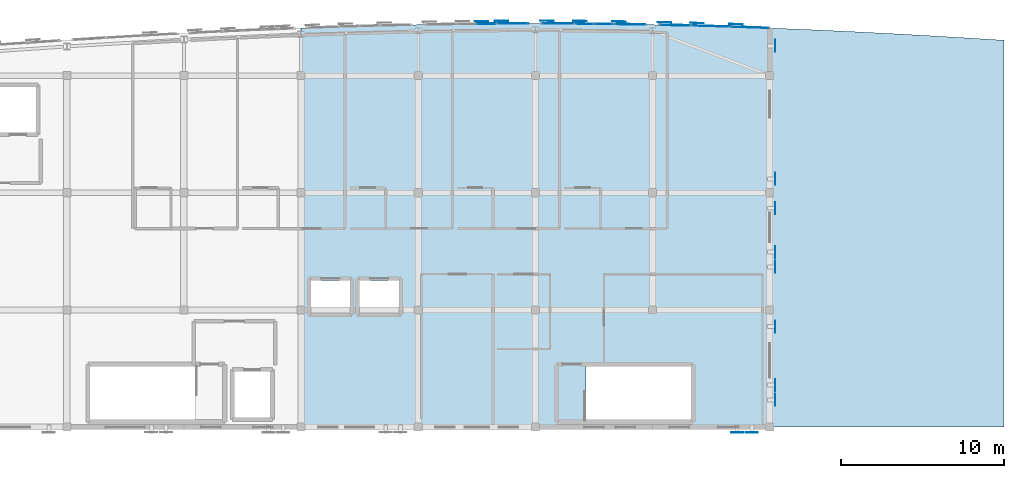
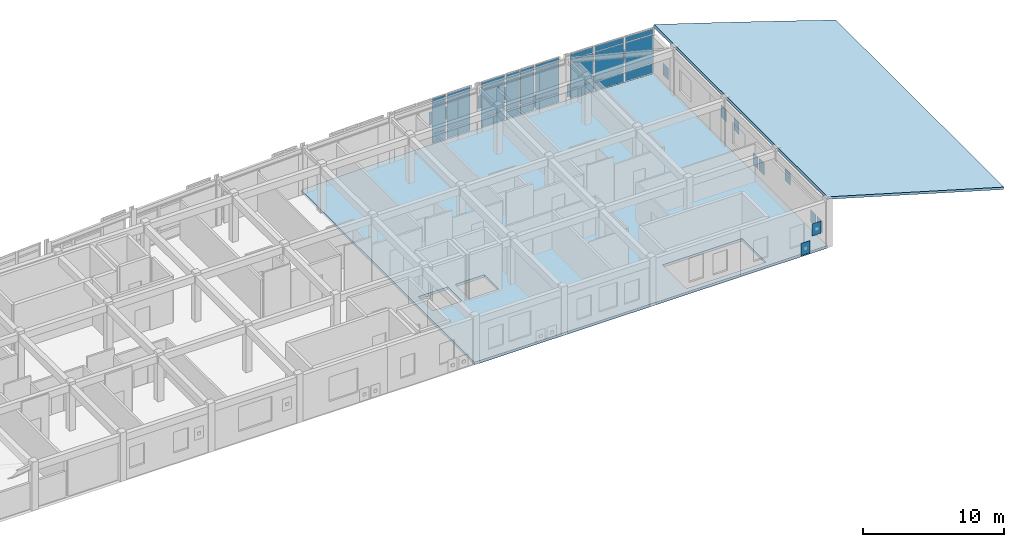
# One storey, part 18 of 24: 45 plates, 2 slabs, 8 elements without a shape of their own.
"""IFC4 building model written with IfcOpenShell, lengths in metres."""

from ifc_helpers import new_model, si_unit, direction, frame, origin, origin_2d, place, context, subcontext, project, spatial, polyline, rectangle, outline, extrude, material, layer, layer_set, type_object, element, aggregate, save


model = new_model("IFC4")

# Units and contexts
model_context = context("Model", 3, precision=1e-05, world=origin(), true_north=direction((0.0, 1.0)))
body_context = subcontext(model_context, "Body", "Model", "MODEL_VIEW")
ifc_project = project(units=[si_unit("LENGTHUNIT", "METRE"), si_unit("AREAUNIT", "SQUARE_METRE"), si_unit("VOLUMEUNIT", "CUBIC_METRE"), si_unit("PLANEANGLEUNIT", "RADIAN"), si_unit("MASSUNIT", "GRAM", prefix="KILO")], contexts=[model_context])

# Site, building, storey
site_placement = place(None, origin())
site = spatial("IfcSite", under=ifc_project, at=site_placement, CompositionType="ELEMENT")
building_placement = place(site_placement, origin())
building = spatial("IfcBuilding", under=site, at=building_placement, Name="Carrowvane Square Congress Hotel", CompositionType="ELEMENT")
storey_placement = place(building_placement, frame((0.0, 0.0, 44.39990234375)))
storey = spatial("IfcBuildingStorey", under=building, at=storey_placement, Name="L11", CompositionType="ELEMENT", Elevation=44.39990234375)

# Curtain wall, plates
ifc_material_1 = material(Name="Anodised aluminium", Category="aluminium")
ifc_layer_1 = layer(ifc_material_1, 0.221923828125)
ifc_layer_set_1 = layer_set([ifc_layer_1], Name="Anodised aluminium")
curtain_wall_type_1 = type_object("IfcCurtainWallType", Name="CW-SYS-6", PredefinedType="NOTDEFINED", material=ifc_layer_set_1)
curtain_wall_1_placement = place(storey_placement, origin())
curtain_wall_1 = element("IfcCurtainWall", 1, at=curtain_wall_1_placement, inside=storey, type_object=curtain_wall_type_1, Name="L11 unitised curtain wall 605", PredefinedType="NOTDEFINED")
ifc_material_2 = material(Name="Double-glazed low-E glass", Category="glass")
ifc_layer_2 = layer(ifc_material_2, 0.028076171875)
ifc_layer_set_2 = layer_set([ifc_layer_2], Name="Double-glazed low-E glass")
plate_type_1 = type_object("IfcPlateType", Name="CW-PAN-1", PredefinedType="CURTAIN_PANEL", material=ifc_layer_set_2)
plate_1_placement = place(storey_placement, frame((96.607666015625, 116.595458984375, 0.070068359375), z_axis=(0.0, 0.0, 1.0), x_axis=(0.999994652529, 0.003270307911, 0.0)))
plate_1 = element("IfcPlate", 2, at=plate_1_placement, type_object=plate_type_1, Name="CW-6 panel 1.1", PredefinedType="CURTAIN_PANEL", context=body_context, shape_type="SweptSolid", body=[
    extrude(rectangle(XDim=1.875, YDim=0.028076171875, at=origin_2d()), origin(), (0.0, 0.0, 1.0), 0.794921875),
])
plate_2_placement = place(storey_placement, frame((96.607666015625, 116.595458984375, 0.93505859375), z_axis=(0.0, 0.0, 1.0), x_axis=(0.999994652529, 0.003270307911, 0.0)))
plate_2 = element("IfcPlate", 3, at=plate_2_placement, type_object=plate_type_1, Name="CW-6 panel 1.2", PredefinedType="CURTAIN_PANEL", context=body_context, shape_type="SweptSolid", body=[
    extrude(rectangle(XDim=1.875, YDim=0.028076171875, at=origin_2d()), origin(), (0.0, 0.0, 1.0), 2.429931640625),
])
plate_3_placement = place(storey_placement, frame((96.607666015625, 116.595458984375, 3.43505859375), z_axis=(0.0, 0.0, 1.0), x_axis=(0.999994652529, 0.003270307911, 0.0)))
plate_3 = element("IfcPlate", 4, at=plate_3_placement, type_object=plate_type_1, Name="CW-6 panel 1.3", PredefinedType="CURTAIN_PANEL", context=body_context, shape_type="SweptSolid", body=[
    extrude(rectangle(XDim=1.875, YDim=0.028076171875, at=origin_2d()), origin(), (0.0, 0.0, 1.0), 0.445068359375),
])
aggregate(curtain_wall_1, [plate_1, plate_2, plate_3])

ifc_material_3 = material(Name="Anodised aluminium", Category="aluminium")
ifc_layer_3 = layer(ifc_material_3, 0.18603515625)
ifc_layer_set_3 = layer_set([ifc_layer_3], Name="Anodised aluminium")
curtain_wall_type_2 = type_object("IfcCurtainWallType", Name="CW-SYS-3", PredefinedType="NOTDEFINED", material=ifc_layer_set_3)
curtain_wall_2_placement = place(storey_placement, origin())
curtain_wall_2 = element("IfcCurtainWall", 5, at=curtain_wall_2_placement, inside=storey, type_object=curtain_wall_type_2, Name="L11 unitised curtain wall 610", PredefinedType="NOTDEFINED")
plate_4_placement = place(storey_placement, frame((108.800048828125, 116.44140625, 0.06005859375), z_axis=(0.0, 0.0, 1.0), x_axis=(0.999589848065, -0.028638010501, 0.0)))
plate_4 = element("IfcPlate", 6, at=plate_4_placement, type_object=plate_type_1, Name="CW-3 panel 1.1", PredefinedType="CURTAIN_PANEL", context=body_context, shape_type="SweptSolid", body=[
    extrude(rectangle(XDim=2.281005859375, YDim=0.028076171875, at=origin_2d()), origin(), (0.0, 0.0, 1.0), 0.81005859375),
])
plate_5_placement = place(storey_placement, frame((108.800048828125, 116.44140625, 0.93017578125), z_axis=(0.0, 0.0, 1.0), x_axis=(0.999589848065, -0.028638010501, 0.0)))
plate_5 = element("IfcPlate", 7, at=plate_5_placement, type_object=plate_type_1, Name="CW-3 panel 1.2", PredefinedType="CURTAIN_PANEL", context=body_context, shape_type="SweptSolid", body=[
    extrude(rectangle(XDim=2.281005859375, YDim=0.028076171875, at=origin_2d()), origin(), (0.0, 0.0, 1.0), 2.43994140625),
])
plate_6_placement = place(storey_placement, frame((108.800048828125, 116.44140625, 3.43017578125), z_axis=(0.0, 0.0, 1.0), x_axis=(0.999589848065, -0.028638010501, 0.0)))
plate_6 = element("IfcPlate", 8, at=plate_6_placement, type_object=plate_type_1, Name="CW-3 panel 1.3", PredefinedType="CURTAIN_PANEL", context=body_context, shape_type="SweptSolid", body=[
    extrude(rectangle(XDim=2.281005859375, YDim=0.028076171875, at=origin_2d()), origin(), (0.0, 0.0, 1.0), 0.4599609375),
])
aggregate(curtain_wall_2, [plate_4, plate_5, plate_6])

ifc_material_4 = material(Name="Anodised aluminium", Category="aluminium")
ifc_layer_4 = layer(ifc_material_4, 0.23388671875)
ifc_layer_set_4 = layer_set([ifc_layer_4], Name="Anodised aluminium")
curtain_wall_type_3 = type_object("IfcCurtainWallType", Name="CW-SYS-7", PredefinedType="NOTDEFINED", material=ifc_layer_set_4)
curtain_wall_3_placement = place(storey_placement, origin())
curtain_wall_3 = element("IfcCurtainWall", 9, at=curtain_wall_3_placement, inside=storey, type_object=curtain_wall_type_3, Name="L11 unitised curtain wall 606", PredefinedType="NOTDEFINED")
ifc_material_5 = material(Name="Double-glazed low-E glass", Category="glass")
ifc_layer_5 = layer(ifc_material_5, 0.031982421875)
ifc_layer_set_5 = layer_set([ifc_layer_5], Name="Double-glazed low-E glass")
plate_type_2 = type_object("IfcPlateType", Name="CW-PAN-2", PredefinedType="CURTAIN_PANEL", material=ifc_layer_set_5)
plate_7_placement = place(storey_placement, frame((99.392333984375, 116.595458984375, 0.06005859375), z_axis=(0.0, 0.0, 1.0), x_axis=(0.999994652529, -0.003270307911, 0.0)))
plate_7 = element("IfcPlate", 10, at=plate_7_placement, type_object=plate_type_2, Name="CW-7 panel 1.1", PredefinedType="CURTAIN_PANEL", context=body_context, shape_type="SweptSolid", body=[
    extrude(rectangle(XDim=1.89501953125, YDim=0.031982421875, at=origin_2d()), origin(), (0.0, 0.0, 1.0), 0.81005859375),
])
plate_8_placement = place(storey_placement, frame((99.392333984375, 116.595458984375, 0.93017578125), z_axis=(0.0, 0.0, 1.0), x_axis=(0.999994652529, -0.003270307911, 0.0)))
plate_8 = element("IfcPlate", 11, at=plate_8_placement, type_object=plate_type_2, Name="CW-7 panel 1.2", PredefinedType="CURTAIN_PANEL", context=body_context, shape_type="SweptSolid", body=[
    extrude(rectangle(XDim=1.89501953125, YDim=0.031982421875, at=origin_2d()), origin(), (0.0, 0.0, 1.0), 2.43994140625),
])
plate_9_placement = place(storey_placement, frame((99.392333984375, 116.595458984375, 3.43017578125), z_axis=(0.0, 0.0, 1.0), x_axis=(0.999994652529, -0.003270307911, 0.0)))
plate_9 = element("IfcPlate", 12, at=plate_9_placement, type_object=plate_type_2, Name="CW-7 panel 1.3", PredefinedType="CURTAIN_PANEL", context=body_context, shape_type="SweptSolid", body=[
    extrude(rectangle(XDim=1.89501953125, YDim=0.031982421875, at=origin_2d()), origin(), (0.0, 0.0, 1.0), 0.4599609375),
])
aggregate(curtain_wall_3, [plate_7, plate_8, plate_9])

ifc_material_6 = material(Name="Anodised aluminium", Category="aluminium")
ifc_layer_6 = layer(ifc_material_6, 0.197998046875)
ifc_layer_set_6 = layer_set([ifc_layer_6], Name="Anodised aluminium")
curtain_wall_type_4 = type_object("IfcCurtainWallType", Name="CW-SYS-4", PredefinedType="NOTDEFINED", material=ifc_layer_set_6)
curtain_wall_4_placement = place(storey_placement, origin())
curtain_wall_4 = element("IfcCurtainWall", 13, at=curtain_wall_4_placement, inside=storey, type_object=curtain_wall_type_4, Name="L11 unitised curtain wall 611", PredefinedType="NOTDEFINED")
plate_10_placement = place(storey_placement, frame((111.199951171875, 116.365478515625, 0.070068359375), z_axis=(0.0, 0.0, 1.0), x_axis=(0.999403811367, -0.034525669067, 0.0)))
plate_10 = element("IfcPlate", 14, at=plate_10_placement, type_object=plate_type_2, Name="CW-4 panel 1.1", PredefinedType="CURTAIN_PANEL", context=body_context, shape_type="SweptSolid", body=[
    extrude(rectangle(XDim=2.261474609375, YDim=0.031982421875, at=origin_2d()), origin(), (0.0, 0.0, 1.0), 0.794921875),
])
plate_11_placement = place(storey_placement, frame((111.199951171875, 116.365478515625, 0.93505859375), z_axis=(0.0, 0.0, 1.0), x_axis=(0.999403811367, -0.034525669067, 0.0)))
plate_11 = element("IfcPlate", 15, at=plate_11_placement, type_object=plate_type_2, Name="CW-4 panel 1.2", PredefinedType="CURTAIN_PANEL", context=body_context, shape_type="SweptSolid", body=[
    extrude(rectangle(XDim=2.261474609375, YDim=0.031982421875, at=origin_2d()), origin(), (0.0, 0.0, 1.0), 2.429931640625),
])
plate_12_placement = place(storey_placement, frame((111.199951171875, 116.365478515625, 3.43505859375), z_axis=(0.0, 0.0, 1.0), x_axis=(0.999403811367, -0.034525669067, 0.0)))
plate_12 = element("IfcPlate", 16, at=plate_12_placement, type_object=plate_type_2, Name="CW-4 panel 1.3", PredefinedType="CURTAIN_PANEL", context=body_context, shape_type="SweptSolid", body=[
    extrude(rectangle(XDim=2.261474609375, YDim=0.031982421875, at=origin_2d()), origin(), (0.0, 0.0, 1.0), 0.445068359375),
])
aggregate(curtain_wall_4, [plate_10, plate_11, plate_12])

ifc_material_7 = material(Name="Anodised aluminium", Category="aluminium")
ifc_layer_7 = layer(ifc_material_7, 0.24609375)
ifc_layer_set_7 = layer_set([ifc_layer_7], Name="Anodised aluminium")
curtain_wall_type_5 = type_object("IfcCurtainWallType", Name="CW-SYS-8", PredefinedType="NOTDEFINED", material=ifc_layer_set_7)
curtain_wall_5_placement = place(storey_placement, origin())
curtain_wall_5 = element("IfcCurtainWall", 17, at=curtain_wall_5_placement, inside=storey, type_object=curtain_wall_type_5, Name="L11 unitised curtain wall 607", PredefinedType="NOTDEFINED")
ifc_material_8 = material(Name="Double-glazed low-E glass", Category="glass")
ifc_layer_8 = layer(ifc_material_8, 0.035888671875)
ifc_layer_set_8 = layer_set([ifc_layer_8], Name="Double-glazed low-E glass")
plate_type_3 = type_object("IfcPlateType", Name="CW-PAN-3", PredefinedType="CURTAIN_PANEL", material=ifc_layer_set_8)
plate_13_placement = place(storey_placement, frame((101.017578125, 116.586181640625, 0.070068359375), z_axis=(0.0, 0.0, 1.0), x_axis=(0.999952146231, -0.009782905924, 0.0)))
plate_13 = element("IfcPlate", 18, at=plate_13_placement, type_object=plate_type_3, Name="CW-8 panel 1.1", PredefinedType="CURTAIN_PANEL", context=body_context, shape_type="SweptSolid", body=[
    extrude(rectangle(XDim=1.094970703125, YDim=0.035888671875, at=origin_2d()), origin(), (0.0, 0.0, 1.0), 0.794921875),
])
plate_14_placement = place(storey_placement, frame((101.017578125, 116.586181640625, 0.93505859375), z_axis=(0.0, 0.0, 1.0), x_axis=(0.999952146231, -0.009782905924, 0.0)))
plate_14 = element("IfcPlate", 19, at=plate_14_placement, type_object=plate_type_3, Name="CW-8 panel 1.2", PredefinedType="CURTAIN_PANEL", context=body_context, shape_type="SweptSolid", body=[
    extrude(rectangle(XDim=1.094970703125, YDim=0.035888671875, at=origin_2d()), origin(), (0.0, 0.0, 1.0), 2.429931640625),
])
plate_15_placement = place(storey_placement, frame((101.017578125, 116.586181640625, 3.43505859375), z_axis=(0.0, 0.0, 1.0), x_axis=(0.999952146231, -0.009782905924, 0.0)))
plate_15 = element("IfcPlate", 20, at=plate_15_placement, type_object=plate_type_3, Name="CW-8 panel 1.3", PredefinedType="CURTAIN_PANEL", context=body_context, shape_type="SweptSolid", body=[
    extrude(rectangle(XDim=1.094970703125, YDim=0.035888671875, at=origin_2d()), origin(), (0.0, 0.0, 1.0), 0.445068359375),
])
plate_16_placement = place(storey_placement, frame((102.182373046875, 116.57470703125, 0.070068359375), z_axis=(0.0, 0.0, 1.0), x_axis=(0.999952146231, -0.009782905924, 0.0)))
plate_16 = element("IfcPlate", 21, at=plate_16_placement, type_object=plate_type_3, Name="CW-8 panel 2.1", PredefinedType="CURTAIN_PANEL", context=body_context, shape_type="SweptSolid", body=[
    extrude(rectangle(XDim=1.094970703125, YDim=0.035888671875, at=origin_2d()), origin(), (0.0, 0.0, 1.0), 0.794921875),
])
plate_17_placement = place(storey_placement, frame((102.182373046875, 116.57470703125, 0.93505859375), z_axis=(0.0, 0.0, 1.0), x_axis=(0.999952146231, -0.009782905924, 0.0)))
plate_17 = element("IfcPlate", 22, at=plate_17_placement, type_object=plate_type_3, Name="CW-8 panel 2.2", PredefinedType="CURTAIN_PANEL", context=body_context, shape_type="SweptSolid", body=[
    extrude(rectangle(XDim=1.094970703125, YDim=0.035888671875, at=origin_2d()), origin(), (0.0, 0.0, 1.0), 2.429931640625),
])
plate_18_placement = place(storey_placement, frame((102.182373046875, 116.57470703125, 3.43505859375), z_axis=(0.0, 0.0, 1.0), x_axis=(0.999952146231, -0.009782905924, 0.0)))
plate_18 = element("IfcPlate", 23, at=plate_18_placement, type_object=plate_type_3, Name="CW-8 panel 2.3", PredefinedType="CURTAIN_PANEL", context=body_context, shape_type="SweptSolid", body=[
    extrude(rectangle(XDim=1.094970703125, YDim=0.035888671875, at=origin_2d()), origin(), (0.0, 0.0, 1.0), 0.445068359375),
])
aggregate(curtain_wall_5, [plate_13, plate_14, plate_15, plate_16, plate_17, plate_18])

ifc_material_9 = material(Name="Anodised aluminium", Category="aluminium")
ifc_layer_9 = layer(ifc_material_9, 0.162109375)
ifc_layer_set_9 = layer_set([ifc_layer_9], Name="Anodised aluminium")
curtain_wall_type_6 = type_object("IfcCurtainWallType", Name="CW-SYS-1", PredefinedType="NOTDEFINED", material=ifc_layer_set_9)
curtain_wall_6_placement = place(storey_placement, origin())
curtain_wall_6 = element("IfcCurtainWall", 24, at=curtain_wall_6_placement, inside=storey, type_object=curtain_wall_type_6, Name="L11 unitised curtain wall 608", PredefinedType="NOTDEFINED")
ifc_material_10 = material(Name="Double-glazed low-E glass", Category="glass")
ifc_layer_10 = layer(ifc_material_10, 0.0419921875)
ifc_layer_set_10 = layer_set([ifc_layer_10], Name="Double-glazed low-E glass")
plate_type_4 = type_object("IfcPlateType", Name="CW-PAN-4", PredefinedType="CURTAIN_PANEL", material=ifc_layer_set_10)
plate_19_placement = place(storey_placement, frame((103.811279296875, 116.55224609375, 0.06005859375), z_axis=(0.0, 0.0, 1.0), x_axis=(0.99986851233, -0.016215981364, 0.0)))
plate_19 = element("IfcPlate", 25, at=plate_19_placement, type_object=plate_type_4, Name="CW-1 panel 1.1", PredefinedType="CURTAIN_PANEL", context=body_context, shape_type="SweptSolid", body=[
    extrude(rectangle(XDim=1.902587890625, YDim=0.0419921875, at=origin_2d()), origin(), (0.0, 0.0, 1.0), 0.81005859375),
])
plate_20_placement = place(storey_placement, frame((103.811279296875, 116.55224609375, 0.93017578125), z_axis=(0.0, 0.0, 1.0), x_axis=(0.99986851233, -0.016215981364, 0.0)))
plate_20 = element("IfcPlate", 26, at=plate_20_placement, type_object=plate_type_4, Name="CW-1 panel 1.2", PredefinedType="CURTAIN_PANEL", context=body_context, shape_type="SweptSolid", body=[
    extrude(rectangle(XDim=1.902587890625, YDim=0.0419921875, at=origin_2d()), origin(), (0.0, 0.0, 1.0), 2.43994140625),
])
plate_21_placement = place(storey_placement, frame((103.811279296875, 116.55224609375, 3.43017578125), z_axis=(0.0, 0.0, 1.0), x_axis=(0.99986851233, -0.016215981364, 0.0)))
plate_21 = element("IfcPlate", 27, at=plate_21_placement, type_object=plate_type_4, Name="CW-1 panel 1.3", PredefinedType="CURTAIN_PANEL", context=body_context, shape_type="SweptSolid", body=[
    extrude(rectangle(XDim=1.902587890625, YDim=0.0419921875, at=origin_2d()), origin(), (0.0, 0.0, 1.0), 0.4599609375),
])
aggregate(curtain_wall_6, [plate_19, plate_20, plate_21])

ifc_material_11 = material(Name="Anodised aluminium", Category="aluminium")
ifc_layer_11 = layer(ifc_material_11, 0.2099609375)
ifc_layer_set_11 = layer_set([ifc_layer_11], Name="Anodised aluminium")
curtain_wall_type_7 = type_object("IfcCurtainWallType", Name="CW-SYS-5", PredefinedType="NOTDEFINED", material=ifc_layer_set_11)
curtain_wall_7_placement = place(storey_placement, origin())
curtain_wall_7 = element("IfcCurtainWall", 28, at=curtain_wall_7_placement, inside=storey, type_object=curtain_wall_type_7, Name="L11 unitised curtain wall 604", PredefinedType="NOTDEFINED")
ifc_material_12 = material(Name="Double-glazed low-E glass", Category="glass")
ifc_layer_12 = layer(ifc_material_12, 0.048095703125)
ifc_layer_set_12 = layer_set([ifc_layer_12], Name="Double-glazed low-E glass")
plate_type_5 = type_object("IfcPlateType", Name="CW-PAN-5", PredefinedType="CURTAIN_PANEL", material=ifc_layer_set_12)
plate_22_placement = place(storey_placement, frame((94.985107421875, 116.586181640625, 0.06005859375), z_axis=(0.0, 0.0, 1.0), x_axis=(0.999952146231, 0.009782905924, 0.0)))
plate_22 = element("IfcPlate", 29, at=plate_22_placement, type_object=plate_type_5, Name="CW-5 panel 2.1", PredefinedType="CURTAIN_PANEL", context=body_context, shape_type="SweptSolid", body=[
    extrude(rectangle(XDim=1.110107421875, YDim=0.048095703125, at=origin_2d()), origin(), (0.0, 0.0, 1.0), 0.81005859375),
])
plate_23_placement = place(storey_placement, frame((94.985107421875, 116.586181640625, 0.93017578125), z_axis=(0.0, 0.0, 1.0), x_axis=(0.999952146231, 0.009782905924, 0.0)))
plate_23 = element("IfcPlate", 30, at=plate_23_placement, type_object=plate_type_5, Name="CW-5 panel 2.2", PredefinedType="CURTAIN_PANEL", context=body_context, shape_type="SweptSolid", body=[
    extrude(rectangle(XDim=1.110107421875, YDim=0.048095703125, at=origin_2d()), origin(), (0.0, 0.0, 1.0), 2.43994140625),
])
plate_24_placement = place(storey_placement, frame((94.985107421875, 116.586181640625, 3.43017578125), z_axis=(0.0, 0.0, 1.0), x_axis=(0.999952146231, 0.009782905924, 0.0)))
plate_24 = element("IfcPlate", 31, at=plate_24_placement, type_object=plate_type_5, Name="CW-5 panel 2.3", PredefinedType="CURTAIN_PANEL", context=body_context, shape_type="SweptSolid", body=[
    extrude(rectangle(XDim=1.110107421875, YDim=0.048095703125, at=origin_2d()), origin(), (0.0, 0.0, 1.0), 0.4599609375),
])
aggregate(curtain_wall_7, [plate_22, plate_23, plate_24])

ifc_material_13 = material(Name="Anodised aluminium", Category="aluminium")
ifc_layer_13 = layer(ifc_material_13, 0.174072265625)
ifc_layer_set_13 = layer_set([ifc_layer_13], Name="Anodised aluminium")
curtain_wall_type_8 = type_object("IfcCurtainWallType", Name="CW-SYS-2", PredefinedType="NOTDEFINED", material=ifc_layer_set_13)
curtain_wall_8_placement = place(storey_placement, origin())
curtain_wall_8 = element("IfcCurtainWall", 32, at=curtain_wall_8_placement, inside=storey, type_object=curtain_wall_type_8, Name="L11 unitised curtain wall 609", PredefinedType="NOTDEFINED")
plate_25_placement = place(storey_placement, frame((106.59619140625, 116.498291015625, 0.070068359375), z_axis=(0.0, 0.0, 1.0), x_axis=(0.99974644475, -0.022517686606, 0.0)))
plate_25 = element("IfcPlate", 33, at=plate_25_placement, type_object=plate_type_5, Name="CW-2 panel 1.1", PredefinedType="CURTAIN_PANEL", context=body_context, shape_type="SweptSolid", body=[
    extrude(rectangle(XDim=1.8681640625, YDim=0.048095703125, at=origin_2d()), origin(), (0.0, 0.0, 1.0), 0.794921875),
])
plate_26_placement = place(storey_placement, frame((106.59619140625, 116.498291015625, 0.93505859375), z_axis=(0.0, 0.0, 1.0), x_axis=(0.99974644475, -0.022517686606, 0.0)))
plate_26 = element("IfcPlate", 34, at=plate_26_placement, type_object=plate_type_5, Name="CW-2 panel 1.2", PredefinedType="CURTAIN_PANEL", context=body_context, shape_type="SweptSolid", body=[
    extrude(rectangle(XDim=1.8681640625, YDim=0.048095703125, at=origin_2d()), origin(), (0.0, 0.0, 1.0), 2.429931640625),
])
plate_27_placement = place(storey_placement, frame((106.59619140625, 116.498291015625, 3.43505859375), z_axis=(0.0, 0.0, 1.0), x_axis=(0.99974644475, -0.022517686606, 0.0)))
plate_27 = element("IfcPlate", 35, at=plate_27_placement, type_object=plate_type_5, Name="CW-2 panel 1.3", PredefinedType="CURTAIN_PANEL", context=body_context, shape_type="SweptSolid", body=[
    extrude(rectangle(XDim=1.8681640625, YDim=0.048095703125, at=origin_2d()), origin(), (0.0, 0.0, 1.0), 0.445068359375),
])
aggregate(curtain_wall_8, [plate_25, plate_26, plate_27])

# Plates
ifc_material_14 = material(Name="Champagne-gold anodised aluminium", Category="aluminium")
ifc_layer_14 = layer(ifc_material_14, 0.011962890625)
ifc_layer_set_14 = layer_set([ifc_layer_14], Name="Champagne-gold anodised aluminium")
plate_type_6 = type_object("IfcPlateType", Name="PLT-PIX-GOLD12", PredefinedType="SHEET", material=ifc_layer_set_14)
for number, where, z_axis, x_axis, name in (
    (36, (95.92431640625, 116.75927734375, 1.590087890625), (0.0, 0.0, 1.0), (0.999994654955, 0.003269565853, 0.0), "Champagne-gold pixel screen plate 1020"),
    (37, (100.726318359375, 116.7548828125, 1.590087890625), (0.0, 0.0, 1.0), (0.999952150705, -0.009782448565, 0.0), "Champagne-gold pixel screen plate 1022"),
    (38, (105.920654296875, 116.679443359375, 0.1201171875), (0.0, 0.0, 1.0), (0.999746418061, -0.022518871507, 0.0), "Champagne-gold pixel screen plate 1024"),
    (39, (110.330322265625, 116.5615234375, 1.590087890625), (0.0, 0.0, 1.0), (0.999403768784, -0.034526901703, 0.0), "Champagne-gold pixel screen plate 1026"),
):
    element("IfcPlate", number, at=place(storey_placement, frame(where, z_axis=z_axis, x_axis=x_axis)), inside=storey, type_object=plate_type_6, Name=name, PredefinedType="SHEET", context=body_context, shape_type="SweptSolid", body=[
        extrude(rectangle(XDim=0.827880859375, YDim=0.011962890625, at=origin_2d()), origin(), (0.0, 0.0, 1.0), 1.1201171875),
    ])
for number, where, z_axis, x_axis, name in (
    (40, (112.73095703125, 107.04931640625, 1.52490234375), (0.0, 0.0, 1.0), (0.0, -1.0, 0.0), "Champagne-gold pixel screen plate S-1028"),
    (41, (112.73095703125, 105.249267578125, 1.52490234375), (0.0, 0.0, 1.0), (0.0, -1.0, 0.0), "Champagne-gold pixel screen plate S-1029"),
    (42, (112.73095703125, 102.54931640625, 0.1552734375), (0.0, 0.0, 1.0), (0.0, -1.0, 0.0), "Champagne-gold pixel screen plate S-1030"),
    (43, (112.73095703125, 101.6494140625, 0.1552734375), (0.0, 0.0, 1.0), (0.0, -1.0, 0.0), "Champagne-gold pixel screen plate S-1031"),
    (44, (111.300048828125, 91.468994140625, 1.52490234375), (0.0, 0.0, 1.0), (-1.0, 0.0, 0.0), "Champagne-gold pixel screen plate S-1035"),
    (45, (110.39990234375, 91.468994140625, 0.1552734375), (0.0, 0.0, 1.0), (-1.0, 0.0, 0.0), "Champagne-gold pixel screen plate S-1036"),
):
    element("IfcPlate", number, at=place(storey_placement, frame(where, z_axis=z_axis, x_axis=x_axis)), inside=storey, type_object=plate_type_6, Name=name, PredefinedType="SHEET", context=body_context, shape_type="SweptSolid", body=[
        extrude(rectangle(XDim=0.738037109375, YDim=0.011962890625, at=origin_2d()), origin(), (0.0, 0.0, 1.0), 1.050048828125),
    ])
ifc_material_15 = material(Name="Champagne-gold anodised aluminium", Category="aluminium")
ifc_layer_15 = layer(ifc_material_15, 0.008056640625)
ifc_layer_set_15 = layer_set([ifc_layer_15], Name="Champagne-gold anodised aluminium")
plate_type_7 = type_object("IfcPlateType", Name="PLT-PIX-GOLD8", PredefinedType="SHEET", material=ifc_layer_set_15)
for number, where, z_axis, x_axis, name in (
    (46, (94.688232421875, 116.747314453125, 1.590087890625), (0.0, 0.0, 1.0), (0.999952150705, 0.009782448565, 0.0), "Champagne-gold pixel screen plate 1019"),
    (47, (98.705322265625, 116.76171875, 1.590087890625), (0.0, 0.0, 1.0), (0.999994654955, -0.003269565853, 0.0), "Champagne-gold pixel screen plate 1021"),
    (48, (103.122314453125, 116.7275390625, 0.1201171875), (0.0, 0.0, 1.0), (0.999868508772, -0.016216200758, 0.0), "Champagne-gold pixel screen plate 1023"),
    (49, (107.92431640625, 116.63037109375, 0.1201171875), (0.0, 0.0, 1.0), (0.999589805464, -0.028639497417, 0.0), "Champagne-gold pixel screen plate 1025"),
):
    element("IfcPlate", number, at=place(storey_placement, frame(where, z_axis=z_axis, x_axis=x_axis)), inside=storey, type_object=plate_type_7, Name=name, PredefinedType="SHEET", context=body_context, shape_type="SweptSolid", body=[
        extrude(rectangle(XDim=0.827880859375, YDim=0.008056640625, at=origin_2d()), origin(), (0.0, 0.0, 1.0), 1.1201171875),
    ])
for number, where, z_axis, x_axis, name in (
    (50, (112.72900390625, 115.22412109375, 0.1552734375), (0.0, 0.0, 1.0), (0.0, -1.0, 0.0), "Champagne-gold pixel screen plate S-1027"),
    (51, (112.72900390625, 97.974609375, 1.52490234375), (0.0, 0.0, 1.0), (0.0, -1.0, 0.0), "Champagne-gold pixel screen plate S-1032"),
    (52, (112.72900390625, 94.374755859375, 0.1552734375), (0.0, 0.0, 1.0), (0.0, -1.0, 0.0), "Champagne-gold pixel screen plate S-1033"),
    (53, (112.72900390625, 93.474609375, 0.1552734375), (0.0, 0.0, 1.0), (0.0, -1.0, 0.0), "Champagne-gold pixel screen plate S-1034"),
):
    element("IfcPlate", number, at=place(storey_placement, frame(where, z_axis=z_axis, x_axis=x_axis)), inside=storey, type_object=plate_type_7, Name=name, PredefinedType="SHEET", context=body_context, shape_type="SweptSolid", body=[
        extrude(rectangle(XDim=0.738037109375, YDim=0.008056640625, at=origin_2d()), origin(), (0.0, 0.0, 1.0), 1.050048828125),
    ])

# Slabs
ifc_material_16 = material(Name="Concrete C35/45", Category="concrete")
ifc_layer_16 = layer(ifc_material_16, 0.219970703125)
ifc_layer_set_16 = layer_set([ifc_layer_16], Name="Concrete C35/45")
slab_type_1 = type_object("IfcSlabType", Name="SLB-FLR-220", PredefinedType="FLOOR", material=ifc_layer_set_16)
slab_1_placement = place(storey_placement, frame((0.0, 0.0, -0.219970703125)))
element("IfcSlab", 54, at=slab_1_placement, inside=storey, type_object=slab_type_1, Name="L11 Hotel Wing slab panel 2", PredefinedType="FLOOR", context=body_context, shape_type="SweptSolid", body=[
    extrude(outline(polyline([(83.60009765625, 91.800048828125), (112.39990234375, 91.800048828125), (112.39990234375, 116.323974609375), (110.0, 116.406982421875), (107.60009765625, 116.4755859375), (105.199951171875, 116.52978515625), (102.800048828125, 116.568603515625), (100.39990234375, 116.592041015625), (98.0, 116.60009765625), (95.60009765625, 116.592041015625), (93.199951171875, 116.568603515625), (90.800048828125, 116.52978515625), (88.39990234375, 116.4755859375), (86.0, 116.406982421875), (83.60009765625, 116.323974609375), (83.60009765625, 91.800048828125)]), holes=[polyline([(101.1201171875, 92.199951171875), (107.60009765625, 92.199951171875), (107.60009765625, 95.56005859375), (101.1201171875, 95.56005859375), (101.1201171875, 92.199951171875)]), polyline([(84.199951171875, 98.800048828125), (86.60009765625, 98.800048828125), (86.60009765625, 100.800048828125), (84.199951171875, 100.800048828125), (84.199951171875, 98.800048828125)]), polyline([(87.199951171875, 98.800048828125), (89.60009765625, 98.800048828125), (89.60009765625, 100.800048828125), (87.199951171875, 100.800048828125), (87.199951171875, 98.800048828125)])]), origin(), (0.0, 0.0, 1.0), 0.219970703125),
])
ifc_material_17 = material(Name="Concrete C35/45", Category="concrete")
ifc_layer_17 = layer(ifc_material_17, 0.199951171875)
ifc_layer_set_17 = layer_set([ifc_layer_17], Name="Concrete C35/45")
slab_type_2 = type_object("IfcSlabType", Name="SLB-ROOF-200", PredefinedType="ROOF", material=ifc_layer_set_17)
slab_2_placement = place(storey_placement, frame((112.39990234375, 91.800048828125, 4.2001953125), z_axis=(0.280009345085, -2.35569e-07, 0.959997274301), x_axis=(0.959997274301, 0.0, -0.280009345085)))
element("IfcSlab", 55, at=slab_2_placement, inside=storey, type_object=slab_type_2, Name="L11 shallow-arc curved roof panel SLB-RF-ARC-E1", PredefinedType="ROOF", context=body_context, shape_type="SweptSolid", body=[
    extrude(outline(polyline([(0.0, 0.0), (15.000195313215242, -1.0587911840678754e-22), (15.000195313215068, 23.77416992187434), (12.499999999407578, 23.92431640627809), (10.000107421591148, 24.065673828142735), (7.500214843774717, 24.19750976563238), (5.000087891623742, 24.318359374980922), (2.500195313807311, 24.427490234345566), (-1.7921024833950378e-13, 24.523925781249318), (0.0, 0.0)])), origin(), (0.0, 0.0, -1.0), 0.199951171875),
])

save(model, "model.ifc")
